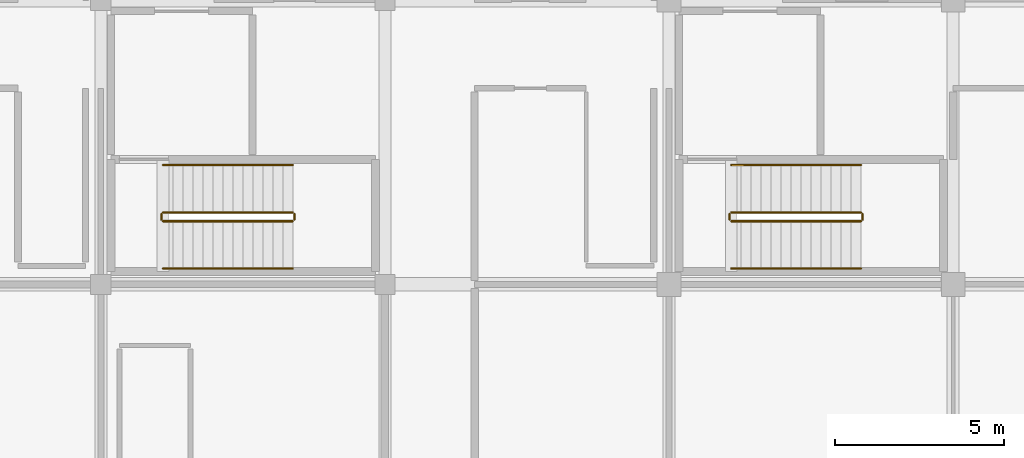
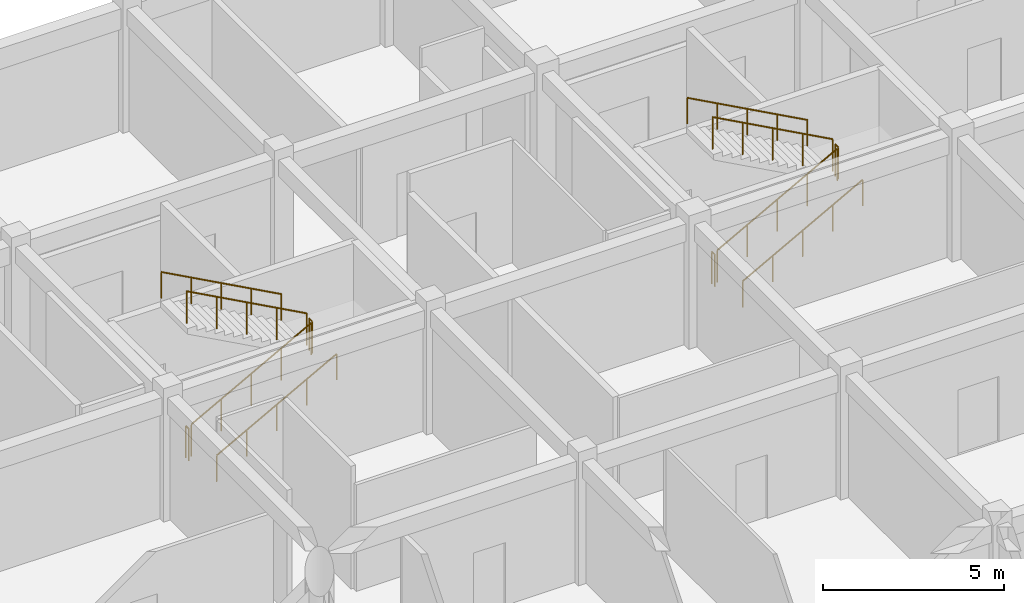
# One storey, part 134 of 144: 12 railings.
"""IFC4 building model written with IfcOpenShell, lengths in metres."""

import ifcopenshell
import ifcopenshell.guid

model = None  # the IFC model being written
_history = None  # IfcOwnerHistory: only IFC2X3 demands one
_inside = {}  # id of a spatial element -> (the spatial element, [elements in it])
_under = {}  # id of a project, library or spatial element -> (it, [spatial elements below it])
_declared = {}  # id of a project -> (the project, [libraries it declares])
_typed = {}  # id of a type object -> (the type object, [elements of that type])
_made_of = {}  # id of a material, layer set ... -> (it, [elements and type objects made of it])


def new_model(schema):
    """Start an empty IFC model of exactly this schema.

    Asked for "IFC4X3", IfcOpenShell would pick the latest addendum, in which some entities
    have other attributes; the version numbers below select the first issue.
    IFC2X3 requires an IfcOwnerHistory on every rooted entity: one is made here for all.
    """
    global model, _history
    if schema == "IFC4X3":
        model = ifcopenshell.file(schema_version=(4, 3, 0, 0))
    else:
        model = ifcopenshell.file(schema=schema)
    _inside.clear()
    _under.clear()
    _declared.clear()
    _typed.clear()
    _made_of.clear()
    _history = None
    if model.schema == "IFC2X3":
        org = make("IfcOrganization", Name="unknown")
        user = make(
            "IfcPersonAndOrganization",
            ThePerson=make("IfcPerson", FamilyName="unknown"),
            TheOrganization=org,
        )
        app = make(
            "IfcApplication",
            ApplicationDeveloper=org,
            Version="unknown",
            ApplicationFullName="unknown",
            ApplicationIdentifier="unknown",
        )
        _history = make(
            "IfcOwnerHistory",
            OwningUser=user,
            OwningApplication=app,
            ChangeAction="ADDED",
            CreationDate=0,
        )
    return model


def make(cls, **values):
    """One entity of the class cls with the attributes given. An attribute that is None is left unset."""
    return model.create_entity(
        cls, **{name: value for name, value in values.items() if value is not None}
    )


def rooted(cls, **values):
    """An entity with a GlobalId (a new one), such as an element, a storey or a relation."""
    return make(cls, GlobalId=ifcopenshell.guid.new(), OwnerHistory=_history, **values)


def si_unit(unit_type, name, prefix=None):
    """IfcSIUnit, for example si_unit("LENGTHUNIT", "METRE", prefix="MILLI")."""
    return make("IfcSIUnit", UnitType=unit_type, Prefix=prefix, Name=name)


def assignment(units):
    """IfcUnitAssignment: the units of a project."""
    return None if units is None else make("IfcUnitAssignment", Units=units)


def point(xyz):
    """IfcCartesianPoint."""
    return None if xyz is None else make("IfcCartesianPoint", Coordinates=xyz)


def direction(xyz):
    """IfcDirection."""
    return None if xyz is None else make("IfcDirection", DirectionRatios=xyz)


def frame(location, z_axis=None, x_axis=None):
    """IfcAxis2Placement3D, a coordinate frame: its origin and axes. An axis left out is left unset."""
    return make(
        "IfcAxis2Placement3D",
        Location=point(location),
        Axis=direction(z_axis),
        RefDirection=direction(x_axis),
    )


def frame_2d(location, x_axis=None):
    """IfcAxis2Placement2D, a coordinate frame in the plane: its origin and x axis."""
    return make(
        "IfcAxis2Placement2D", Location=point(location), RefDirection=direction(x_axis)
    )


def origin():
    """The frame at (0, 0, 0) with its axes left unset."""
    return frame((0.0, 0.0, 0.0))


def origin_2d():
    """The frame at (0, 0) in the plane with its x axis left unset."""
    return frame_2d((0.0, 0.0))


def place(relative_to, where):
    """IfcLocalPlacement: puts the frame where relative to a parent placement (None: the world)."""
    return make(
        "IfcLocalPlacement", PlacementRelTo=relative_to, RelativePlacement=where
    )


def context(
    kind, dimensions, precision=None, world=None, true_north=None, identifier=None
):
    """IfcGeometricRepresentationContext, for example the 3D "Model" context."""
    return make(
        "IfcGeometricRepresentationContext",
        ContextIdentifier=identifier,
        ContextType=kind,
        CoordinateSpaceDimension=dimensions,
        Precision=precision,
        WorldCoordinateSystem=world,
        TrueNorth=true_north,
    )


def subcontext(parent, identifier, kind, view, scale=None):
    """IfcGeometricRepresentationSubContext, for example "Body" below "Model"."""
    return make(
        "IfcGeometricRepresentationSubContext",
        ContextIdentifier=identifier,
        ContextType=kind,
        ParentContext=parent,
        TargetScale=scale,
        TargetView=view,
    )


def project(units=None, contexts=None):
    """IfcProject with its units and contexts."""
    return rooted(
        "IfcProject",
        Name="project",
        RepresentationContexts=contexts,
        UnitsInContext=assignment(units),
    )


def spatial(cls, under=None, at=None, **own):
    """A site, building, storey or space (cls), placed at a placement, below another one or the project."""
    s = rooted(cls, ObjectPlacement=at, **own)
    if under is not None:
        _under.setdefault(under.id(), (under, []))[1].append(s)
    return s


def profile(cls, at=None, kind="AREA", **sizes):
    """A parametric profile (cls). Its sizes go by their IFC names, for example OverallWidth=200.0."""
    return make(cls, ProfileType=kind, Position=at, **sizes)


def circle(**sizes):
    """IfcCircleProfileDef."""
    return profile("IfcCircleProfileDef", **sizes)


def extrude(swept, where, along, depth):
    """IfcExtrudedAreaSolid: the profile swept, set in the frame where, extruded along a direction by depth."""
    return make(
        "IfcExtrudedAreaSolid",
        SweptArea=swept,
        Position=where,
        ExtrudedDirection=direction(along),
        Depth=depth,
    )


def shape(context_of_items, identifier, shape_type, items):
    """IfcShapeRepresentation: the items that make up one representation, for example the "Body"."""
    return make(
        "IfcShapeRepresentation",
        ContextOfItems=context_of_items,
        RepresentationIdentifier=identifier,
        RepresentationType=shape_type,
        Items=items,
    )


def material(Name=None, Category=None):
    """IfcMaterial."""
    return make("IfcMaterial", Name=Name, Category=Category)


def made_of(thing, what):
    """Note that an element or type object is made of a material, layer set ...; save() writes the relation."""
    if what is not None:
        _made_of.setdefault(what.id(), (what, []))[1].append(thing)
    return thing


def type_object(cls, material=None, **own):
    """A type object (cls), such as IfcWallType, which elements share."""
    return made_of(rooted(cls, **own), material)


def element(
    cls,
    number,
    at=None,
    inside=None,
    cuts=None,
    type_object=None,
    material=None,
    context=None,
    identifier="Body",
    shape_type=None,
    held_by="IfcProductDefinitionShape",
    body=None,
    shapes=None,
    **own,
):
    """One element of the class cls, such as IfcWall. Its Tag is "e" and its number.

    at: its placement. inside: the storey or other place that contains it. cuts: it is an
    opening in that element (IfcRelVoidsElement). A single representation is given by context,
    identifier, shape_type and body (its items); several are given by shapes. held_by: the class
    of the entity that holds the representations. save() writes the other relations.
    """
    e = rooted(cls, Tag="e%d" % number, ObjectPlacement=at, **own)
    if body is not None:
        shapes = [shape(context, identifier, shape_type, body)]
    if shapes is not None:
        e.Representation = make(held_by, Representations=shapes)
    if inside is not None:
        _inside.setdefault(inside.id(), (inside, []))[1].append(e)
    if cuts is not None:
        rooted(
            "IfcRelVoidsElement", RelatingBuildingElement=cuts, RelatedOpeningElement=e
        )
    if type_object is not None:
        _typed.setdefault(type_object.id(), (type_object, []))[1].append(e)
    return made_of(e, material)


def aggregate(whole, parts):
    """IfcRelAggregates: a whole, such as a stair, and the parts it consists of."""
    return rooted("IfcRelAggregates", RelatingObject=whole, RelatedObjects=parts)


def save(model, path):
    """Write the relations noted so far, then the file.

    IfcRelAggregates (storeys below a building ...), IfcRelContainedInSpatialStructure (elements
    in a storey), IfcRelDefinesByType, IfcRelAssociatesMaterial and IfcRelDeclares: one each for
    every whole, place, type object, material and project.
    """
    for whole, parts in _under.values():
        aggregate(whole, parts)
    for where, things in _inside.values():
        rooted(
            "IfcRelContainedInSpatialStructure",
            RelatedElements=things,
            RelatingStructure=where,
        )
    for kind, things in _typed.values():
        rooted("IfcRelDefinesByType", RelatedObjects=things, RelatingType=kind)
    for what, things in _made_of.values():
        rooted("IfcRelAssociatesMaterial", RelatedObjects=things, RelatingMaterial=what)
    for by, libraries in _declared.values():
        rooted("IfcRelDeclares", RelatingContext=by, RelatedDefinitions=libraries)
    model.write(path)


model = new_model("IFC4")

# Units and contexts
model_context = context("Model", 3, precision=1e-05, world=origin(), true_north=direction((0.0, 1.0)))
body_context = subcontext(model_context, "Body", "Model", "MODEL_VIEW")
ifc_project = project(units=[si_unit("LENGTHUNIT", "METRE"), si_unit("AREAUNIT", "SQUARE_METRE"), si_unit("VOLUMEUNIT", "CUBIC_METRE"), si_unit("PLANEANGLEUNIT", "RADIAN"), si_unit("MASSUNIT", "GRAM", prefix="KILO")], contexts=[model_context])

# Site, building, storey
site_placement = place(None, origin())
site = spatial("IfcSite", under=ifc_project, at=site_placement, CompositionType="ELEMENT")
building_placement = place(site_placement, origin())
building = spatial("IfcBuilding", under=site, at=building_placement, Name="Bramfleet General Hospital", CompositionType="ELEMENT")
storey_placement = place(building_placement, frame((0.0, 0.0, 4.800048828125)))
storey = spatial("IfcBuildingStorey", under=building, at=storey_placement, Name="L01", CompositionType="ELEMENT", Elevation=4.800048828125)

# Railings
ifc_material_1 = material(Name="Powder-coated steel stair balustrade", Category="steel")
railing_type_1 = type_object("IfcRailingType", Name="RAIL-ST-GUARD", PredefinedType="GUARDRAIL", material=ifc_material_1)
railing_1_placement = place(storey_placement, frame((35.43994140625, 102.669921875, 0.16064453125)))
element("IfcRailing", 1, at=railing_1_placement, inside=storey, type_object=railing_type_1, Name="L01 ST-C8 stair guard 1", PredefinedType="GUARDRAIL", context=body_context, shape_type="SweptSolid", body=[
    extrude(circle(Radius=0.02392578125, at=origin_2d()), frame((0.0, 0.0, 1.076171875), z_axis=(0.878130475078, 0.0, 0.478421225218), x_axis=(0.0, 1.0, 0.0)), (0.0, 0.0, 1.0), 4.3671875),
    extrude(circle(Radius=0.02099609375, at=origin_2d()), origin(), (0.0, 0.0, 1.0), 1.052001953125),
    extrude(circle(Radius=0.02099609375, at=origin_2d()), frame((0.958740234375, 0.0, 0.5224609375)), (0.0, 0.0, 1.0), 1.052001953125),
    extrude(circle(Radius=0.02099609375, at=origin_2d()), frame((1.91748046875, 0.0, 1.044677734375)), (0.0, 0.0, 1.0), 1.052001953125),
    extrude(circle(Radius=0.02099609375, at=origin_2d()), frame((2.876220703125, 0.0, 1.56689453125)), (0.0, 0.0, 1.0), 1.052001953125),
    extrude(circle(Radius=0.02099609375, at=origin_2d()), frame((3.8349609375, 0.0, 2.08935546875)), (0.0, 0.0, 1.0), 1.052001953125),
])
railing_2_placement = place(storey_placement, frame((39.324951171875, 102.719970703125, 2.25)))
element("IfcRailing", 2, at=railing_2_placement, inside=storey, type_object=railing_type_1, Name="L01 ST-C8 stair guard 2", PredefinedType="GUARDRAIL", context=body_context, shape_type="SweptSolid", body=[
    extrude(circle(Radius=0.02392578125, at=origin_2d()), frame((0.0, 0.0, 1.076171875), z_axis=(0.0, 1.0, 0.0), x_axis=(-1.0, 0.0, 0.0)), (0.0, 0.0, 1.0), 0.159912109375),
    extrude(circle(Radius=0.02099609375, at=origin_2d()), origin(), (0.0, 0.0, 1.0), 1.052001953125),
    extrude(circle(Radius=0.02099609375, at=origin_2d()), frame((0.0, 0.159912109375, 0.0)), (0.0, 0.0, 1.0), 1.052001953125),
])
railing_3_placement = place(storey_placement, frame((39.27490234375, 102.929931640625, 2.41064453125)))
element("IfcRailing", 3, at=railing_3_placement, inside=storey, type_object=railing_type_1, Name="L01 ST-C8 stair guard 3", PredefinedType="GUARDRAIL", context=body_context, shape_type="SweptSolid", body=[
    extrude(circle(Radius=0.02392578125, at=origin_2d()), frame((0.0, 0.0, 1.076171875), z_axis=(-0.878130475078, 0.0, 0.478421225218), x_axis=(0.0, -1.0, 0.0)), (0.0, 0.0, 1.0), 4.3671875),
    extrude(circle(Radius=0.02099609375, at=origin_2d()), origin(), (0.0, 0.0, 1.0), 1.052001953125),
    extrude(circle(Radius=0.02099609375, at=origin_2d()), frame((-0.958740234375, 0.0, 0.5224609375)), (0.0, 0.0, 1.0), 1.052001953125),
    extrude(circle(Radius=0.02099609375, at=origin_2d()), frame((-1.91748046875, 0.0, 1.044677734375)), (0.0, 0.0, 1.0), 1.052001953125),
    extrude(circle(Radius=0.02099609375, at=origin_2d()), frame((-2.876220703125, 0.0, 1.56689453125)), (0.0, 0.0, 1.0), 1.052001953125),
    extrude(circle(Radius=0.02099609375, at=origin_2d()), frame((-3.8349609375, 0.0, 2.08935546875)), (0.0, 0.0, 1.0), 1.052001953125),
])
railing_4_placement = place(storey_placement, frame((35.389892578125, 102.719970703125, 0.0)))
element("IfcRailing", 4, at=railing_4_placement, inside=storey, type_object=railing_type_1, Name="L01 ST-C8 stair guard 4", PredefinedType="GUARDRAIL", context=body_context, shape_type="SweptSolid", body=[
    extrude(circle(Radius=0.02392578125, at=origin_2d()), frame((0.0, 0.0, 1.076171875), z_axis=(0.0, 1.0, 0.0), x_axis=(-1.0, 0.0, 0.0)), (0.0, 0.0, 1.0), 0.159912109375),
    extrude(circle(Radius=0.02099609375, at=origin_2d()), origin(), (0.0, 0.0, 1.0), 1.052001953125),
    extrude(circle(Radius=0.02099609375, at=origin_2d()), frame((0.0, 0.159912109375, 0.0)), (0.0, 0.0, 1.0), 1.052001953125),
])
railing_5_placement = place(storey_placement, frame((52.239990234375, 102.669921875, 0.16064453125)))
element("IfcRailing", 5, at=railing_5_placement, inside=storey, type_object=railing_type_1, Name="L01 ST-C14 stair guard 1", PredefinedType="GUARDRAIL", context=body_context, shape_type="SweptSolid", body=[
    extrude(circle(Radius=0.02392578125, at=origin_2d()), frame((0.0, 0.0, 1.076171875), z_axis=(0.878130475078, 0.0, 0.478421225218), x_axis=(0.0, 1.0, 0.0)), (0.0, 0.0, 1.0), 4.3671875),
    extrude(circle(Radius=0.02099609375, at=origin_2d()), origin(), (0.0, 0.0, 1.0), 1.052001953125),
    extrude(circle(Radius=0.02099609375, at=origin_2d()), frame((0.958740234375, 0.0, 0.5224609375)), (0.0, 0.0, 1.0), 1.052001953125),
    extrude(circle(Radius=0.02099609375, at=origin_2d()), frame((1.91748046875, 0.0, 1.044677734375)), (0.0, 0.0, 1.0), 1.052001953125),
    extrude(circle(Radius=0.02099609375, at=origin_2d()), frame((2.876220703125, 0.0, 1.56689453125)), (0.0, 0.0, 1.0), 1.052001953125),
    extrude(circle(Radius=0.02099609375, at=origin_2d()), frame((3.8349609375, 0.0, 2.08935546875)), (0.0, 0.0, 1.0), 1.052001953125),
])
railing_6_placement = place(storey_placement, frame((56.125, 102.719970703125, 2.25)))
element("IfcRailing", 6, at=railing_6_placement, inside=storey, type_object=railing_type_1, Name="L01 ST-C14 stair guard 2", PredefinedType="GUARDRAIL", context=body_context, shape_type="SweptSolid", body=[
    extrude(circle(Radius=0.02392578125, at=origin_2d()), frame((0.0, 0.0, 1.076171875), z_axis=(0.0, 1.0, 0.0), x_axis=(-1.0, 0.0, 0.0)), (0.0, 0.0, 1.0), 0.159912109375),
    extrude(circle(Radius=0.02099609375, at=origin_2d()), origin(), (0.0, 0.0, 1.0), 1.052001953125),
    extrude(circle(Radius=0.02099609375, at=origin_2d()), frame((0.0, 0.159912109375, 0.0)), (0.0, 0.0, 1.0), 1.052001953125),
])
railing_7_placement = place(storey_placement, frame((56.074951171875, 102.929931640625, 2.41064453125)))
element("IfcRailing", 7, at=railing_7_placement, inside=storey, type_object=railing_type_1, Name="L01 ST-C14 stair guard 3", PredefinedType="GUARDRAIL", context=body_context, shape_type="SweptSolid", body=[
    extrude(circle(Radius=0.02392578125, at=origin_2d()), frame((0.0, 0.0, 1.076171875), z_axis=(-0.878130475078, 0.0, 0.478421225218), x_axis=(0.0, -1.0, 0.0)), (0.0, 0.0, 1.0), 4.3671875),
    extrude(circle(Radius=0.02099609375, at=origin_2d()), origin(), (0.0, 0.0, 1.0), 1.052001953125),
    extrude(circle(Radius=0.02099609375, at=origin_2d()), frame((-0.958740234375, 0.0, 0.5224609375)), (0.0, 0.0, 1.0), 1.052001953125),
    extrude(circle(Radius=0.02099609375, at=origin_2d()), frame((-1.91748046875, 0.0, 1.044677734375)), (0.0, 0.0, 1.0), 1.052001953125),
    extrude(circle(Radius=0.02099609375, at=origin_2d()), frame((-2.876220703125, 0.0, 1.56689453125)), (0.0, 0.0, 1.0), 1.052001953125),
    extrude(circle(Radius=0.02099609375, at=origin_2d()), frame((-3.8349609375, 0.0, 2.08935546875)), (0.0, 0.0, 1.0), 1.052001953125),
])
railing_8_placement = place(storey_placement, frame((52.18994140625, 102.719970703125, 0.0)))
element("IfcRailing", 8, at=railing_8_placement, inside=storey, type_object=railing_type_1, Name="L01 ST-C14 stair guard 4", PredefinedType="GUARDRAIL", context=body_context, shape_type="SweptSolid", body=[
    extrude(circle(Radius=0.02392578125, at=origin_2d()), frame((0.0, 0.0, 1.076171875), z_axis=(0.0, 1.0, 0.0), x_axis=(-1.0, 0.0, 0.0)), (0.0, 0.0, 1.0), 0.159912109375),
    extrude(circle(Radius=0.02099609375, at=origin_2d()), origin(), (0.0, 0.0, 1.0), 1.052001953125),
    extrude(circle(Radius=0.02099609375, at=origin_2d()), frame((0.0, 0.159912109375, 0.0)), (0.0, 0.0, 1.0), 1.052001953125),
])
ifc_material_2 = material(Name="Stainless steel 1.4301 stair handrail", Category="steel")
railing_type_2 = type_object("IfcRailingType", Name="RAIL-ST-HND", PredefinedType="HANDRAIL", material=ifc_material_2)
railing_9_placement = place(storey_placement, frame((35.43994140625, 101.27001953125, 0.16064453125)))
element("IfcRailing", 9, at=railing_9_placement, inside=storey, type_object=railing_type_2, Name="L01 ST-C8 stair handrail 1", PredefinedType="HANDRAIL", context=body_context, shape_type="SweptSolid", body=[
    extrude(circle(Radius=0.02392578125, at=origin_2d()), frame((0.0, 0.0, 0.8759765625), z_axis=(0.878130475078, 0.0, 0.478421225218), x_axis=(0.0, 1.0, 0.0)), (0.0, 0.0, 1.0), 4.3671875),
    extrude(circle(Radius=0.02099609375, at=origin_2d()), origin(), (0.0, 0.0, 1.0), 0.851806640625),
    extrude(circle(Radius=0.02099609375, at=origin_2d()), frame((0.958740234375, 0.0, 0.5224609375)), (0.0, 0.0, 1.0), 0.851806640625),
    extrude(circle(Radius=0.02099609375, at=origin_2d()), frame((1.91748046875, 0.0, 1.044677734375)), (0.0, 0.0, 1.0), 0.851806640625),
    extrude(circle(Radius=0.02099609375, at=origin_2d()), frame((2.876220703125, 0.0, 1.56689453125)), (0.0, 0.0, 1.0), 0.851806640625),
    extrude(circle(Radius=0.02099609375, at=origin_2d()), frame((3.8349609375, 0.0, 2.08935546875)), (0.0, 0.0, 1.0), 0.851806640625),
])
railing_10_placement = place(storey_placement, frame((39.27490234375, 104.330078125, 2.41064453125)))
element("IfcRailing", 10, at=railing_10_placement, inside=storey, type_object=railing_type_2, Name="L01 ST-C8 stair handrail 2", PredefinedType="HANDRAIL", context=body_context, shape_type="SweptSolid", body=[
    extrude(circle(Radius=0.02392578125, at=origin_2d()), frame((0.0, 0.0, 0.8759765625), z_axis=(-0.878130475078, 0.0, 0.478421225218), x_axis=(0.0, -1.0, 0.0)), (0.0, 0.0, 1.0), 4.3671875),
    extrude(circle(Radius=0.02099609375, at=origin_2d()), origin(), (0.0, 0.0, 1.0), 0.851806640625),
    extrude(circle(Radius=0.02099609375, at=origin_2d()), frame((-0.958740234375, 0.0, 0.5224609375)), (0.0, 0.0, 1.0), 0.851806640625),
    extrude(circle(Radius=0.02099609375, at=origin_2d()), frame((-1.91748046875, 0.0, 1.044677734375)), (0.0, 0.0, 1.0), 0.851806640625),
    extrude(circle(Radius=0.02099609375, at=origin_2d()), frame((-2.876220703125, 0.0, 1.56689453125)), (0.0, 0.0, 1.0), 0.851806640625),
    extrude(circle(Radius=0.02099609375, at=origin_2d()), frame((-3.8349609375, 0.0, 2.08935546875)), (0.0, 0.0, 1.0), 0.851806640625),
])
railing_11_placement = place(storey_placement, frame((52.239990234375, 101.27001953125, 0.16064453125)))
element("IfcRailing", 11, at=railing_11_placement, inside=storey, type_object=railing_type_2, Name="L01 ST-C14 stair handrail 1", PredefinedType="HANDRAIL", context=body_context, shape_type="SweptSolid", body=[
    extrude(circle(Radius=0.02392578125, at=origin_2d()), frame((0.0, 0.0, 0.8759765625), z_axis=(0.878130475078, 0.0, 0.478421225218), x_axis=(0.0, 1.0, 0.0)), (0.0, 0.0, 1.0), 4.3671875),
    extrude(circle(Radius=0.02099609375, at=origin_2d()), origin(), (0.0, 0.0, 1.0), 0.851806640625),
    extrude(circle(Radius=0.02099609375, at=origin_2d()), frame((0.958740234375, 0.0, 0.5224609375)), (0.0, 0.0, 1.0), 0.851806640625),
    extrude(circle(Radius=0.02099609375, at=origin_2d()), frame((1.91748046875, 0.0, 1.044677734375)), (0.0, 0.0, 1.0), 0.851806640625),
    extrude(circle(Radius=0.02099609375, at=origin_2d()), frame((2.876220703125, 0.0, 1.56689453125)), (0.0, 0.0, 1.0), 0.851806640625),
    extrude(circle(Radius=0.02099609375, at=origin_2d()), frame((3.8349609375, 0.0, 2.08935546875)), (0.0, 0.0, 1.0), 0.851806640625),
])
railing_12_placement = place(storey_placement, frame((56.074951171875, 104.330078125, 2.41064453125)))
element("IfcRailing", 12, at=railing_12_placement, inside=storey, type_object=railing_type_2, Name="L01 ST-C14 stair handrail 2", PredefinedType="HANDRAIL", context=body_context, shape_type="SweptSolid", body=[
    extrude(circle(Radius=0.02392578125, at=origin_2d()), frame((0.0, 0.0, 0.8759765625), z_axis=(-0.878130475078, 0.0, 0.478421225218), x_axis=(0.0, -1.0, 0.0)), (0.0, 0.0, 1.0), 4.3671875),
    extrude(circle(Radius=0.02099609375, at=origin_2d()), origin(), (0.0, 0.0, 1.0), 0.851806640625),
    extrude(circle(Radius=0.02099609375, at=origin_2d()), frame((-0.958740234375, 0.0, 0.5224609375)), (0.0, 0.0, 1.0), 0.851806640625),
    extrude(circle(Radius=0.02099609375, at=origin_2d()), frame((-1.91748046875, 0.0, 1.044677734375)), (0.0, 0.0, 1.0), 0.851806640625),
    extrude(circle(Radius=0.02099609375, at=origin_2d()), frame((-2.876220703125, 0.0, 1.56689453125)), (0.0, 0.0, 1.0), 0.851806640625),
    extrude(circle(Radius=0.02099609375, at=origin_2d()), frame((-3.8349609375, 0.0, 2.08935546875)), (0.0, 0.0, 1.0), 0.851806640625),
])

save(model, "model.ifc")
